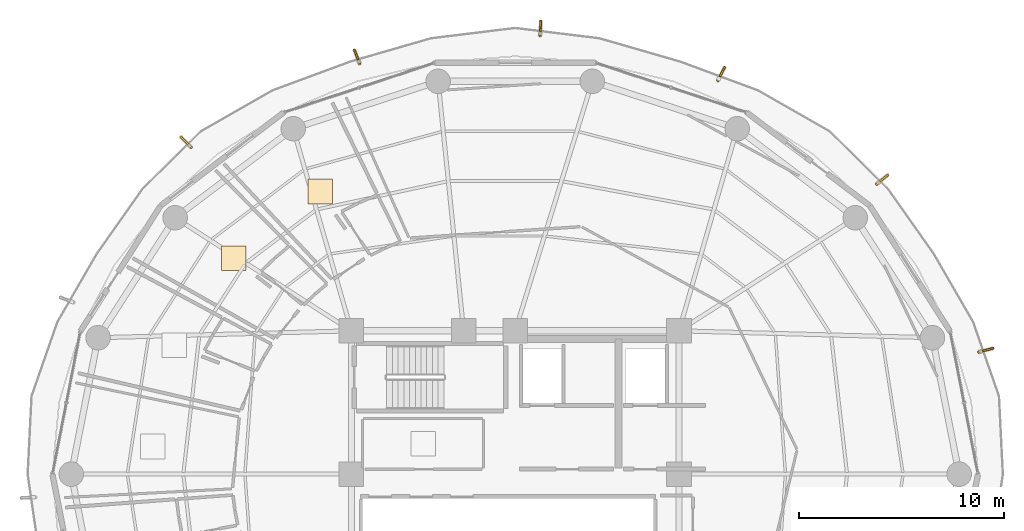
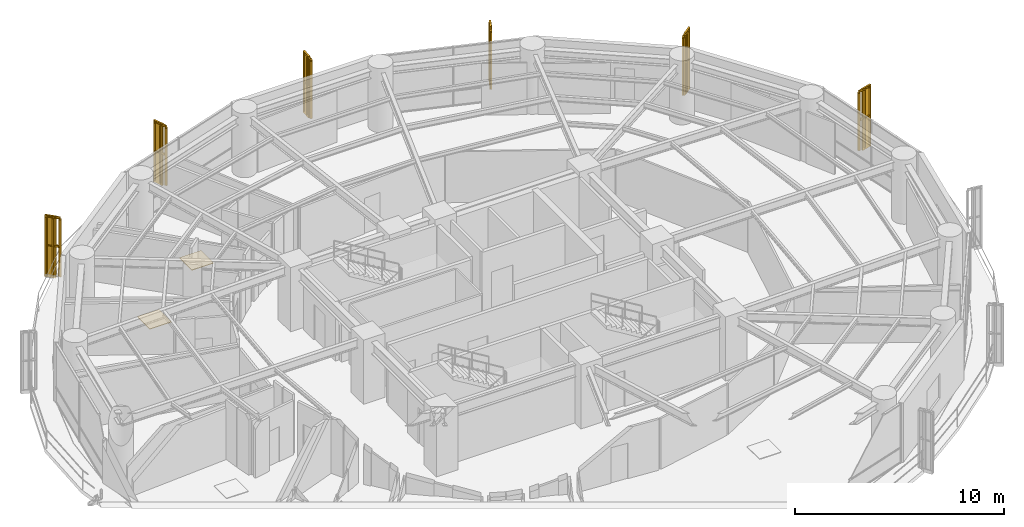
# One storey, part 27 of 27: 6 railings, 6 shading devices, 2 coverings.
"""IFC4 building model written with IfcOpenShell, lengths in metres."""

from ifc_helpers import new_model, si_unit, direction, frame, origin, origin_2d, place, context, subcontext, project, spatial, polyline, rectangle, outline, extrude, source, transform, mapped, material, layer, layer_set, type_object, element, save


model = new_model("IFC4")

# Units and contexts
model_context = context("Model", 3, precision=1e-05, world=origin(), true_north=direction((0.0, 1.0)))
body_context = subcontext(model_context, "Body", "Model", "MODEL_VIEW")
ifc_project = project(units=[si_unit("LENGTHUNIT", "METRE"), si_unit("AREAUNIT", "SQUARE_METRE"), si_unit("VOLUMEUNIT", "CUBIC_METRE"), si_unit("PLANEANGLEUNIT", "RADIAN"), si_unit("MASSUNIT", "GRAM", prefix="KILO")], contexts=[model_context])

# Site, building, storey
site_placement = place(None, origin())
site = spatial("IfcSite", under=ifc_project, at=site_placement, CompositionType="ELEMENT")
building_placement = place(site_placement, origin())
building = spatial("IfcBuilding", under=site, at=building_placement, Name="Kelanora Arch Commons", CompositionType="ELEMENT")
storey_placement = place(building_placement, frame((0.0, 0.0, 143.10009765625)))
storey = spatial("IfcBuildingStorey", under=building, at=storey_placement, Name="L36", CompositionType="ELEMENT", Elevation=143.10009765625)

# Railings
ifc_material_1 = material(Name="Anodised bronze vertical shading fin rib assembly")
railing_type = type_object("IfcRailingType", Name="RAIL-FIN-BRZ", PredefinedType="BALUSTRADE", material=ifc_material_1)
railing_1_placement = place(storey_placement, frame((96.6376953125, 63.96337890625, -0.02001953125)))
element("IfcRailing", 1, at=railing_1_placement, inside=storey, type_object=railing_type, Name="Sweeping Bronze Vertical Fin Blade L36-00", PredefinedType="BALUSTRADE", context=body_context, shape_type="SweptSolid", body=[
    extrude(outline(polyline([(0.06982421875, 0.0), (0.034912109375, 0.060546875), (-0.034912109375, 0.060546875), (-0.06982421875, 0.0), (-0.034912109375, -0.060546875), (0.034912109375, -0.060546875), (0.06982421875, 0.0)])), frame((0.0, 0.0, 3.419921875), z_axis=(0.967022969259, 0.254689177089, 0.0), x_axis=(-0.254689177089, 0.967022969259, 0.0)), (0.0, 0.0, 1.0), 0.6748046875),
    extrude(outline(polyline([(0.06982421875, 0.0), (0.034912109375, 0.060546875), (-0.034912109375, 0.060546875), (-0.06982421875, 0.0), (-0.034912109375, -0.060546875), (0.034912109375, -0.060546875), (0.06982421875, 0.0)])), frame((0.0, 0.0, 1.7451171875), z_axis=(0.967022969259, 0.254689177089, 0.0), x_axis=(-0.254689177089, 0.967022969259, 0.0)), (0.0, 0.0, 1.0), 0.6748046875),
    extrude(outline(polyline([(0.080078125, 0.0), (0.0400390625, 0.0693359375), (-0.0400390625, 0.0693359375), (-0.080078125, 0.0), (-0.0400390625, -0.0693359375), (0.0400390625, -0.0693359375), (0.080078125, 0.0)])), origin(), (0.0, 0.0, 1.0), 3.35009765625),
    extrude(outline(polyline([(0.080078125, 0.0), (0.0400390625, 0.0693359375), (-0.0400390625, 0.0693359375), (-0.080078125, 0.0), (-0.0400390625, -0.0693359375), (0.0400390625, -0.0693359375), (0.080078125, 0.0)])), frame((0.326171875, 0.0859375, 0.0)), (0.0, 0.0, 1.0), 3.35009765625),
    extrude(outline(polyline([(0.080078125, 0.0), (0.0400390625, 0.0693359375), (-0.0400390625, 0.0693359375), (-0.080078125, 0.0), (-0.0400390625, -0.0693359375), (0.0400390625, -0.0693359375), (0.080078125, 0.0)])), frame((0.652587890625, 0.171875, 0.0)), (0.0, 0.0, 1.0), 3.35009765625),
])
railing_2_placement = place(storey_placement, frame((91.651123046875, 72.170654296875, -0.02001953125)))
element("IfcRailing", 2, at=railing_2_placement, inside=storey, type_object=railing_type, Name="Sweeping Bronze Vertical Fin Blade L36-01", PredefinedType="BALUSTRADE", context=body_context, shape_type="SweptSolid", body=[
    extrude(outline(polyline([(0.06982421875, 0.0), (0.034912109375, 0.060546875), (-0.034912109375, 0.060546875), (-0.06982421875, 0.0), (-0.034912109375, -0.060546875), (0.034912109375, -0.060546875), (0.06982421875, 0.0)])), frame((0.0, 0.0, 3.419921875), z_axis=(0.779773762555, 0.626061402125, 0.0), x_axis=(-0.626061402125, 0.779773762555, 0.0)), (0.0, 0.0, 1.0), 0.675048828125),
    extrude(outline(polyline([(0.06982421875, 0.0), (0.034912109375, 0.060546875), (-0.034912109375, 0.060546875), (-0.06982421875, 0.0), (-0.034912109375, -0.060546875), (0.034912109375, -0.060546875), (0.06982421875, 0.0)])), frame((0.0, 0.0, 1.7451171875), z_axis=(0.779773762555, 0.626061402125, 0.0), x_axis=(-0.626061402125, 0.779773762555, 0.0)), (0.0, 0.0, 1.0), 0.675048828125),
    extrude(outline(polyline([(0.080078125, 0.0), (0.0400390625, 0.0693359375), (-0.0400390625, 0.0693359375), (-0.080078125, 0.0), (-0.0400390625, -0.0693359375), (0.0400390625, -0.0693359375), (0.080078125, 0.0)])), origin(), (0.0, 0.0, 1.0), 3.35009765625),
    extrude(outline(polyline([(0.080078125, 0.0), (0.0400390625, 0.0693359375), (-0.0400390625, 0.0693359375), (-0.080078125, 0.0), (-0.0400390625, -0.0693359375), (0.0400390625, -0.0693359375), (0.080078125, 0.0)])), frame((0.26318359375, 0.21142578125, 0.0)), (0.0, 0.0, 1.0), 3.35009765625),
    extrude(outline(polyline([(0.080078125, 0.0), (0.0400390625, 0.0693359375), (-0.0400390625, 0.0693359375), (-0.080078125, 0.0), (-0.0400390625, -0.0693359375), (0.0400390625, -0.0693359375), (0.080078125, 0.0)])), frame((0.5263671875, 0.422607421875, 0.0)), (0.0, 0.0, 1.0), 3.35009765625),
])
railing_3_placement = place(storey_placement, frame((83.9013671875, 77.231201171875, -0.02001953125)))
element("IfcRailing", 3, at=railing_3_placement, inside=storey, type_object=railing_type, Name="Sweeping Bronze Vertical Fin Blade L36-02", PredefinedType="BALUSTRADE", context=body_context, shape_type="SweptSolid", body=[
    extrude(outline(polyline([(0.06982421875, 0.0), (0.034912109375, 0.060546875), (-0.034912109375, 0.060546875), (-0.06982421875, 0.0), (-0.034912109375, -0.060546875), (0.034912109375, -0.060546875), (0.06982421875, 0.0)])), frame((0.0, 0.0, 3.419921875), z_axis=(0.457601375681, 0.889157455671, 0.0), x_axis=(-0.889157455671, 0.457601375681, 0.0)), (0.0, 0.0, 1.0), 0.6748046875),
    extrude(outline(polyline([(0.06982421875, 0.0), (0.034912109375, 0.060546875), (-0.034912109375, 0.060546875), (-0.06982421875, 0.0), (-0.034912109375, -0.060546875), (0.034912109375, -0.060546875), (0.06982421875, 0.0)])), frame((0.0, 0.0, 1.7451171875), z_axis=(0.457601375681, 0.889157455671, 0.0), x_axis=(-0.889157455671, 0.457601375681, 0.0)), (0.0, 0.0, 1.0), 0.6748046875),
    extrude(outline(polyline([(0.080078125, 0.0), (0.0400390625, 0.0693359375), (-0.0400390625, 0.0693359375), (-0.080078125, 0.0), (-0.0400390625, -0.0693359375), (0.0400390625, -0.0693359375), (0.080078125, 0.0)])), origin(), (0.0, 0.0, 1.0), 3.35009765625),
    extrude(outline(polyline([(0.080078125, 0.0), (0.0400390625, 0.0693359375), (-0.0400390625, 0.0693359375), (-0.080078125, 0.0), (-0.0400390625, -0.0693359375), (0.0400390625, -0.0693359375), (0.080078125, 0.0)])), frame((0.154296875, 0.300048828125, 0.0)), (0.0, 0.0, 1.0), 3.35009765625),
    extrude(outline(polyline([(0.080078125, 0.0), (0.0400390625, 0.0693359375), (-0.0400390625, 0.0693359375), (-0.080078125, 0.0), (-0.0400390625, -0.0693359375), (0.0400390625, -0.0693359375), (0.080078125, 0.0)])), frame((0.308837890625, 0.60009765625, 0.0)), (0.0, 0.0, 1.0), 3.35009765625),
])
railing_4_placement = place(storey_placement, frame((75.21337890625, 79.41943359375, -0.02001953125)))
element("IfcRailing", 4, at=railing_4_placement, inside=storey, type_object=railing_type, Name="Sweeping Bronze Vertical Fin Blade L36-03", PredefinedType="BALUSTRADE", context=body_context, shape_type="SweptSolid", body=[
    extrude(outline(polyline([(0.06982421875, 0.0), (0.034912109375, 0.060546875), (-0.034912109375, 0.060546875), (-0.06982421875, 0.0), (-0.034912109375, -0.060546875), (0.034912109375, -0.060546875), (0.06982421875, 0.0)])), frame((0.0, 0.0, 3.419921875), z_axis=(0.056411295886, 0.998407615003, 0.0), x_axis=(-0.998407615003, 0.056411295886, 0.0)), (0.0, 0.0, 1.0), 0.675048828125),
    extrude(outline(polyline([(0.06982421875, 0.0), (0.034912109375, 0.060546875), (-0.034912109375, 0.060546875), (-0.06982421875, 0.0), (-0.034912109375, -0.060546875), (0.034912109375, -0.060546875), (0.06982421875, 0.0)])), frame((0.0, 0.0, 1.7451171875), z_axis=(0.056411295886, 0.998407615003, 0.0), x_axis=(-0.998407615003, 0.056411295886, 0.0)), (0.0, 0.0, 1.0), 0.675048828125),
    extrude(outline(polyline([(0.080078125, 0.0), (0.0400390625, 0.0693359375), (-0.0400390625, 0.0693359375), (-0.080078125, 0.0), (-0.0400390625, -0.0693359375), (0.0400390625, -0.0693359375), (0.080078125, 0.0)])), origin(), (0.0, 0.0, 1.0), 3.35009765625),
    extrude(outline(polyline([(0.080078125, 0.0), (0.0400390625, 0.0693359375), (-0.0400390625, 0.0693359375), (-0.080078125, 0.0), (-0.0400390625, -0.0693359375), (0.0400390625, -0.0693359375), (0.080078125, 0.0)])), frame((0.01904296875, 0.3369140625, 0.0)), (0.0, 0.0, 1.0), 3.35009765625),
    extrude(outline(polyline([(0.080078125, 0.0), (0.0400390625, 0.0693359375), (-0.0400390625, 0.0693359375), (-0.080078125, 0.0), (-0.0400390625, -0.0693359375), (0.0400390625, -0.0693359375), (0.080078125, 0.0)])), frame((0.0380859375, 0.674072265625, 0.0)), (0.0, 0.0, 1.0), 3.35009765625),
])
railing_5_placement = place(storey_placement, frame((66.400390625, 78.05029296875, -0.02001953125)))
element("IfcRailing", 5, at=railing_5_placement, inside=storey, type_object=railing_type, Name="Sweeping Bronze Vertical Fin Blade L36-04", PredefinedType="BALUSTRADE", context=body_context, shape_type="SweptSolid", body=[
    extrude(outline(polyline([(0.06982421875, 0.0), (0.034912109375, 0.060546875), (-0.034912109375, 0.060546875), (-0.06982421875, 0.0), (-0.034912109375, -0.060546875), (0.034912109375, -0.060546875), (0.06982421875, 0.0)])), frame((0.0, 0.0, 3.419921875), z_axis=(-0.35449066274, 0.935059554269, 0.0), x_axis=(-0.935059554269, -0.35449066274, 0.0)), (0.0, 0.0, 1.0), 0.675048828125),
    extrude(outline(polyline([(0.06982421875, 0.0), (0.034912109375, 0.060546875), (-0.034912109375, 0.060546875), (-0.06982421875, 0.0), (-0.034912109375, -0.060546875), (0.034912109375, -0.060546875), (0.06982421875, 0.0)])), frame((0.0, 0.0, 1.7451171875), z_axis=(-0.35449066274, 0.935059554269, 0.0), x_axis=(-0.935059554269, -0.35449066274, 0.0)), (0.0, 0.0, 1.0), 0.675048828125),
    extrude(outline(polyline([(0.080078125, 0.0), (0.0400390625, 0.0693359375), (-0.0400390625, 0.0693359375), (-0.080078125, 0.0), (-0.0400390625, -0.0693359375), (0.0400390625, -0.0693359375), (0.080078125, 0.0)])), origin(), (0.0, 0.0, 1.0), 3.35009765625),
    extrude(outline(polyline([(0.080078125, 0.0), (0.0400390625, 0.0693359375), (-0.0400390625, 0.0693359375), (-0.080078125, 0.0), (-0.0400390625, -0.0693359375), (0.0400390625, -0.0693359375), (0.080078125, 0.0)])), frame((-0.11962890625, 0.3154296875, 0.0)), (0.0, 0.0, 1.0), 3.35009765625),
    extrude(outline(polyline([(0.080078125, 0.0), (0.0400390625, 0.0693359375), (-0.0400390625, 0.0693359375), (-0.080078125, 0.0), (-0.0400390625, -0.0693359375), (0.0400390625, -0.0693359375), (0.080078125, 0.0)])), frame((-0.2392578125, 0.631103515625, 0.0)), (0.0, 0.0, 1.0), 3.35009765625),
])
railing_6_placement = place(storey_placement, frame((58.168701171875, 73.9658203125, -0.02001953125)))
element("IfcRailing", 6, at=railing_6_placement, inside=storey, type_object=railing_type, Name="Sweeping Bronze Vertical Fin Blade L36-05", PredefinedType="BALUSTRADE", context=body_context, shape_type="SweptSolid", body=[
    extrude(outline(polyline([(0.06982421875, 0.0), (0.034912109375, 0.060546875), (-0.034912109375, 0.060546875), (-0.06982421875, 0.0), (-0.034912109375, -0.060546875), (0.034912109375, -0.060546875), (0.06982421875, 0.0)])), frame((0.0, 0.0, 3.419921875), z_axis=(-0.704207353632, 0.709994368351, 0.0), x_axis=(-0.709994368351, -0.704207353632, 0.0)), (0.0, 0.0, 1.0), 0.675048828125),
    extrude(outline(polyline([(0.06982421875, 0.0), (0.034912109375, 0.060546875), (-0.034912109375, 0.060546875), (-0.06982421875, 0.0), (-0.034912109375, -0.060546875), (0.034912109375, -0.060546875), (0.06982421875, 0.0)])), frame((0.0, 0.0, 1.7451171875), z_axis=(-0.704207353632, 0.709994368351, 0.0), x_axis=(-0.709994368351, -0.704207353632, 0.0)), (0.0, 0.0, 1.0), 0.675048828125),
    extrude(outline(polyline([(0.080078125, 0.0), (0.0400390625, 0.0693359375), (-0.0400390625, 0.0693359375), (-0.080078125, 0.0), (-0.0400390625, -0.0693359375), (0.0400390625, -0.0693359375), (0.080078125, 0.0)])), origin(), (0.0, 0.0, 1.0), 3.35009765625),
    extrude(outline(polyline([(0.080078125, 0.0), (0.0400390625, 0.0693359375), (-0.0400390625, 0.0693359375), (-0.080078125, 0.0), (-0.0400390625, -0.0693359375), (0.0400390625, -0.0693359375), (0.080078125, 0.0)])), frame((-0.23779296875, 0.23974609375, 0.0)), (0.0, 0.0, 1.0), 3.35009765625),
    extrude(outline(polyline([(0.080078125, 0.0), (0.0400390625, 0.0693359375), (-0.0400390625, 0.0693359375), (-0.080078125, 0.0), (-0.0400390625, -0.0693359375), (0.0400390625, -0.0693359375), (0.080078125, 0.0)])), frame((-0.475341796875, 0.479248046875, 0.0)), (0.0, 0.0, 1.0), 3.35009765625),
])

# Shading devices
ifc_material_2 = material(Name="Terracotta ceramic-clad extruded aluminium fin", Category="masonry")
shading_device_type = type_object("IfcShadingDeviceType", Name="SHD-FIN-WAIST", PredefinedType="USERDEFINED", material=ifc_material_2)
shared_shape_1 = source(origin(), body_context, "Body", "SweptSolid", [
    extrude(rectangle(XDim=0.56005859375, YDim=0.090087890625, at=origin_2d()), origin(), (0.0, 0.0, 1.0), 3.610107421875),
])
for number, where, z_axis, x_axis, name in (
    (7, (97.099365234375, 64.0849609375, -0.14013671875), (0.0, 0.0, 1.0), (0.967001487762, 0.254770725683, 0.0), "Sweeping Terracotta Fin L36-00"),
    (8, (92.0234375, 72.469482421875, -0.14013671875), (0.0, 0.0, 1.0), (0.779775226961, 0.62605957817, 0.0), "Sweeping Terracotta Fin L36-01"),
    (9, (84.119873046875, 77.65576171875, -0.14013671875), (0.0, 0.0, 1.0), (0.457718745382, 0.889097042019, 0.0), "Sweeping Terracotta Fin L36-02"),
    (10, (75.240234375, 79.896240234375, -0.14013671875), (0.0, 0.0, 1.0), (0.056518534482, 0.998401550109, 0.0), "Sweeping Terracotta Fin L36-03"),
    (11, (66.231201171875, 78.496826171875, -0.14013671875), (0.0, 0.0, 1.0), (-0.354454244484, 0.935073359992, 0.0), "Sweeping Terracotta Fin L36-04"),
    (12, (57.83251953125, 74.3046875, -0.14013671875), (0.0, 0.0, 1.0), (-0.704138664464, 0.710062491058, 0.0), "Sweeping Terracotta Fin L36-05"),
):
    element("IfcShadingDevice", number, at=place(storey_placement, frame(where, z_axis=z_axis, x_axis=x_axis)), inside=storey, type_object=shading_device_type, Name=name, ObjectType="FIN", PredefinedType="USERDEFINED", context=body_context, shape_type="MappedRepresentation", body=[
        mapped(shared_shape_1, transform((0.0, 0.0, 0.0), scale=1.0)),
    ])

# Coverings
ifc_material_3 = material(Name="Polished local granite terrazzo flooring", Category="masonry")
ifc_layer = layer(ifc_material_3, 0.030029296875)
ifc_layer_set = layer_set([ifc_layer], Name="Polished local granite terrazzo flooring")
covering_type = type_object("IfcCoveringType", Name="COV-FLR-TER", PredefinedType="FLOORING", material=ifc_layer_set)
shared_shape_2 = source(origin(), body_context, "Body", "SweptSolid", [
    extrude(rectangle(XDim=1.199951171875, YDim=1.199951171875, at=origin_2d()), origin(), (0.0, 0.0, 1.0), 0.030029296875),
])
for number, where, z_axis, x_axis, name in (
    (13, (64.47265625, 71.8046875, 0.0), (0.0, 0.0, 1.0), (1.0, 0.0, 0.0), "Cluster Bedroom L36-01 Terrazzo Finish"),
    (14, (60.259521484375, 68.544921875, 0.0), (0.0, 0.0, 1.0), (1.0, 0.0, 0.0), "Cluster Bedroom L36-02 Terrazzo Finish"),
):
    element("IfcCovering", number, at=place(storey_placement, frame(where, z_axis=z_axis, x_axis=x_axis)), inside=storey, type_object=covering_type, Name=name, PredefinedType="FLOORING", context=body_context, shape_type="MappedRepresentation", body=[
        mapped(shared_shape_2, transform((0.0, 0.0, 0.0), scale=1.0)),
    ])

save(model, "model.ifc")
